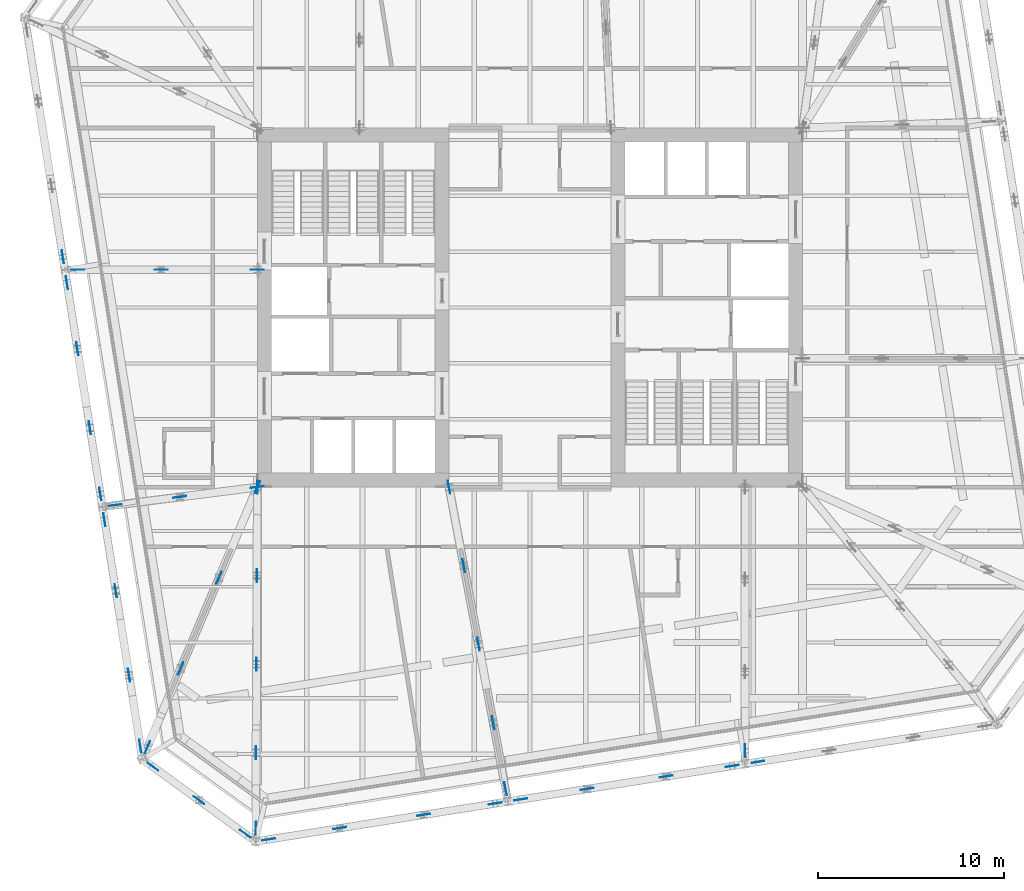
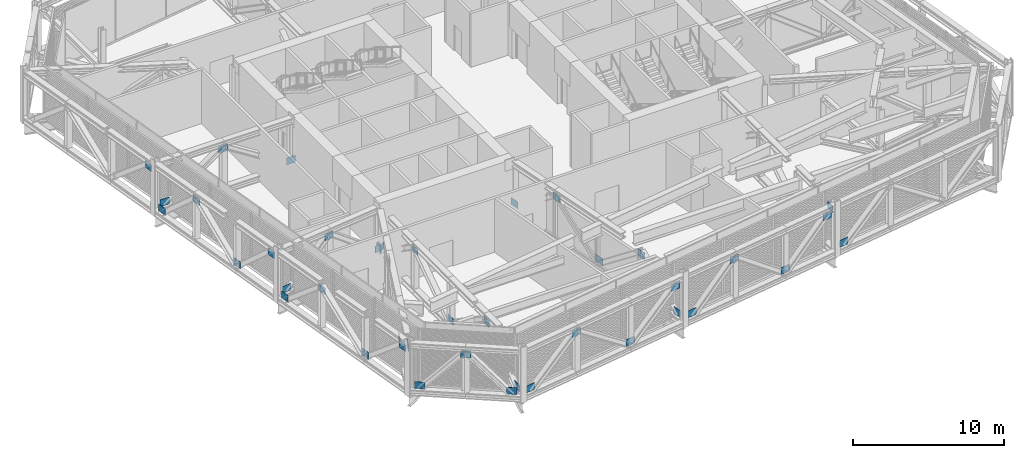
# One storey, part 27 of 31: 42 discrete accessories.
"""IFC4 building model written with IfcOpenShell, lengths in metres."""

from ifc_helpers import new_model, si_unit, direction, frame, origin, origin_2d, place, context, subcontext, project, spatial, rectangle, extrude, material, layer, layer_set, type_object, element, save


model = new_model("IFC4")

# Units and contexts
model_context = context("Model", 3, precision=1e-05, world=origin(), true_north=direction((0.0, 1.0)))
body_context = subcontext(model_context, "Body", "Model", "MODEL_VIEW")
ifc_project = project(units=[si_unit("LENGTHUNIT", "METRE"), si_unit("AREAUNIT", "SQUARE_METRE"), si_unit("VOLUMEUNIT", "CUBIC_METRE"), si_unit("PLANEANGLEUNIT", "RADIAN"), si_unit("MASSUNIT", "GRAM", prefix="KILO")], contexts=[model_context])

# Site, building, storey
site_placement = place(None, origin())
site = spatial("IfcSite", under=ifc_project, at=site_placement, CompositionType="ELEMENT")
building_placement = place(site_placement, origin())
building = spatial("IfcBuilding", under=site, at=building_placement, Name="Millrace Tower", CompositionType="ELEMENT")
storey_placement = place(building_placement, frame((0.0, 0.0, 195.60009765625)))
storey = spatial("IfcBuildingStorey", under=building, at=storey_placement, Name="L44", CompositionType="ELEMENT", Elevation=195.60009765625)

# Discrete accessories
ifc_material = material(Name="Steel ASTM A572 Grade 50", Category="steel")
ifc_layer = layer(ifc_material, 0.02490234375)
ifc_layer_set = layer_set([ifc_layer], Name="Steel ASTM A572 Grade 50")
discrete_accessory_type = type_object("IfcDiscreteAccessoryType", Name="Truss gusset plate 700x550x25", PredefinedType="BRACKET", material=ifc_layer_set)
for number, where, z_axis, x_axis, name in (
    (1, (-20.54638671875, -24.474853515625, 0.757568359375), (0.809112951205, -0.587653156371, 0.0), (0.587653156371, 0.809112951205, 0.0), "Truss gusset plate BLT-L44-R01-D01 foot"),
    (2, (-18.068359375, -26.275146484375, 3.482421875), (0.809112951205, -0.587653156371, 0.0), (0.587653156371, 0.809112951205, 0.0), "Truss gusset plate BLT-L44-R01-D01 head"),
    (3, (-15.59033203125, -28.075439453125, 0.757568359375), (0.808992462271, -0.587819016355, 0.0), (0.587819016355, 0.808992462271, 0.0), "Truss gusset plate BLT-L44-R01-D02 foot"),
    (4, (-14.395263671875, -28.637939453125, 0.757568359375), (0.987663796475, 0.156589351913, 0.0), (-0.156589351913, 0.987663796475, 0.0), "Truss gusset plate BLT-L44-R02-D01 foot"),
    (5, (-10.56689453125, -28.031494140625, 3.482421875), (0.987717677878, 0.156249124184, 0.0), (-0.156249124184, 0.987717677878, 0.0), "Truss gusset plate BLT-L44-R02-D01 head"),
    (6, (-6.047119140625, -27.315673828125, 0.757568359375), (0.987717677878, 0.156249124184, 0.0), (-0.156249124184, 0.987717677878, 0.0), "Truss gusset plate BLT-L44-R02-D02 foot"),
    (7, (-2.218505859375, -26.709228515625, 3.482421875), (0.987717677878, 0.156249124184, 0.0), (-0.156249124184, 0.987717677878, 0.0), "Truss gusset plate BLT-L44-R02-D03 head"),
    (8, (-0.835693359375, -26.490234375, 0.757568359375), (0.987717677878, 0.156249124184, 0.0), (-0.156249124184, 0.987717677878, 0.0), "Truss gusset plate BLT-L44-R03-D01 foot"),
):
    element("IfcDiscreteAccessory", number, at=place(storey_placement, frame(where, z_axis=z_axis, x_axis=x_axis)), inside=storey, type_object=discrete_accessory_type, Name=name, PredefinedType="BRACKET", context=body_context, shape_type="SweptSolid", body=[
        extrude(rectangle(XDim=0.02490234375, YDim=0.550048828125, at=origin_2d()), origin(), (0.0, 0.0, 1.0), 0.699951171875),
    ])
discrete_accessory_1_placement = place(storey_placement, frame((2.719970703125, -25.927001953125, 3.482421875), z_axis=(0.98770915867, 0.156302968239, 0.0), x_axis=(-0.156302968239, 0.98770915867, 0.0)))
element("IfcDiscreteAccessory", 9, at=discrete_accessory_1_placement, inside=storey, type_object=discrete_accessory_type, Name="Truss gusset plate BLT-L44-R03-D01 head", PredefinedType="BRACKET", context=body_context, shape_type="SweptSolid", body=[
    extrude(rectangle(XDim=0.02490234375, YDim=0.550048828125, at=origin_2d()), origin(), (0.0, 0.0, 1.0), 0.69970703125),
])
for number, where, z_axis, x_axis, name in (
    (10, (6.966796875, -25.25439453125, 0.757568359375), (0.987717677878, 0.156249124184, 0.0), (-0.156249124184, 0.987717677878, 0.0), "Truss gusset plate BLT-L44-R03-D02 foot"),
    (11, (10.522705078125, -24.69140625, 3.482421875), (0.987663796475, 0.156589351913, 0.0), (-0.156589351913, 0.987663796475, 0.0), "Truss gusset plate BLT-L44-R03-D03 head"),
):
    element("IfcDiscreteAccessory", number, at=place(storey_placement, frame(where, z_axis=z_axis, x_axis=x_axis)), inside=storey, type_object=discrete_accessory_type, Name=name, PredefinedType="BRACKET", context=body_context, shape_type="SweptSolid", body=[
        extrude(rectangle(XDim=0.02490234375, YDim=0.550048828125, at=origin_2d()), origin(), (0.0, 0.0, 1.0), 0.699951171875),
    ])
discrete_accessory_2_placement = place(storey_placement, frame((11.905517578125, -24.472412109375, 0.757568359375), z_axis=(0.987655240593, 0.156643307321, 0.0), x_axis=(-0.156643307321, 0.987655240593, 0.0)))
element("IfcDiscreteAccessory", 12, at=discrete_accessory_2_placement, inside=storey, type_object=discrete_accessory_type, Name="Truss gusset plate BLT-L44-R04-D01 foot", PredefinedType="BRACKET", context=body_context, shape_type="SweptSolid", body=[
    extrude(rectangle(XDim=0.02490234375, YDim=0.550048828125, at=origin_2d()), origin(), (0.0, 0.0, 1.0), 0.69970703125),
])
for number, where, z_axis, x_axis, name in (
    (13, (-25.1591796875, 3.068603515625, 3.482421875), (0.156249124184, -0.987717677878, 0.0), (0.987717677878, 0.156249124184, 0.0), "Truss gusset plate BLT-L44-R14-D03 head"),
    (14, (-24.940185546875, 1.685791015625, 0.757568359375), (0.156249124184, -0.987717677878, 0.0), (0.987717677878, 0.156249124184, 0.0), "Truss gusset plate BLT-L44-R15-D01 foot"),
    (15, (-24.377197265625, -1.869873046875, 3.482421875), (0.156589351913, -0.987663796475, 0.0), (0.987663796475, 0.156589351913, 0.0), "Truss gusset plate BLT-L44-R15-D01 head"),
    (16, (-23.70458984375, -6.116943359375, 0.757568359375), (0.156589351913, -0.987663796475, 0.0), (0.987663796475, 0.156589351913, 0.0), "Truss gusset plate BLT-L44-R15-D02 foot"),
    (17, (-23.141357421875, -9.672607421875, 3.482421875), (0.156589351913, -0.987663796475, 0.0), (0.987663796475, 0.156589351913, 0.0), "Truss gusset plate BLT-L44-R15-D03 head"),
):
    element("IfcDiscreteAccessory", number, at=place(storey_placement, frame(where, z_axis=z_axis, x_axis=x_axis)), inside=storey, type_object=discrete_accessory_type, Name=name, PredefinedType="BRACKET", context=body_context, shape_type="SweptSolid", body=[
        extrude(rectangle(XDim=0.02490234375, YDim=0.550048828125, at=origin_2d()), origin(), (0.0, 0.0, 1.0), 0.699951171875),
    ])
discrete_accessory_3_placement = place(storey_placement, frame((-22.92236328125, -11.055419921875, 0.757568359375), z_axis=(0.156643307321, -0.987655240593, 0.0), x_axis=(0.987655240593, 0.156643307321, 0.0)))
element("IfcDiscreteAccessory", 18, at=discrete_accessory_3_placement, inside=storey, type_object=discrete_accessory_type, Name="Truss gusset plate BLT-L44-R16-D01 foot", PredefinedType="BRACKET", context=body_context, shape_type="SweptSolid", body=[
    extrude(rectangle(XDim=0.02490234375, YDim=0.550048828125, at=origin_2d()), origin(), (0.0, 0.0, 1.0), 0.69970703125),
])
for number, where, z_axis, x_axis, name in (
    (19, (-22.31591796875, -14.8837890625, 3.482421875), (0.156589351913, -0.987663796475, 0.0), (0.987663796475, 0.156589351913, 0.0), "Truss gusset plate BLT-L44-R16-D01 head"),
    (20, (-21.60009765625, -19.403564453125, 0.757568359375), (0.156589351913, -0.987663796475, 0.0), (0.987663796475, 0.156589351913, 0.0), "Truss gusset plate BLT-L44-R16-D02 foot"),
    (21, (-20.99365234375, -23.23193359375, 3.482421875), (0.156249124184, -0.987717677878, 0.0), (0.987717677878, 0.156249124184, 0.0), "Truss gusset plate BLT-L44-R16-D03 head"),
):
    element("IfcDiscreteAccessory", number, at=place(storey_placement, frame(where, z_axis=z_axis, x_axis=x_axis)), inside=storey, type_object=discrete_accessory_type, Name=name, PredefinedType="BRACKET", context=body_context, shape_type="SweptSolid", body=[
        extrude(rectangle(XDim=0.02490234375, YDim=0.550048828125, at=origin_2d()), origin(), (0.0, 0.0, 1.0), 0.699951171875),
    ])
for number, where, z_axis, x_axis, name in (
    (22, (-14.786376953125, -9.972412109375, 0.757568359375), (0.389537599324, 0.921010563844, 0.0), (-0.921010563844, 0.389537599324, 0.0), "Truss gusset plate BLT-L44-O01-D01 foot"),
    (23, (-16.84619140625, -14.845458984375, 3.482421875), (0.389537599324, 0.921010563844, 0.0), (-0.921010563844, 0.389537599324, 0.0), "Truss gusset plate BLT-L44-O01-D01 head"),
    (24, (-18.906005859375, -19.718505859375, 0.757568359375), (0.389537599324, 0.921010563844, 0.0), (-0.921010563844, 0.389537599324, 0.0), "Truss gusset plate BLT-L44-O01-D02 foot"),
):
    element("IfcDiscreteAccessory", number, at=place(storey_placement, frame(where, z_axis=z_axis, x_axis=x_axis)), inside=storey, type_object=discrete_accessory_type, Name=name, PredefinedType="BRACKET", context=body_context, shape_type="SweptSolid", body=[
        extrude(rectangle(XDim=0.02490234375, YDim=0.550048828125, at=origin_2d()), origin(), (0.0, 0.0, 1.0), 0.7001953125),
    ])
for number, where, z_axis, x_axis, name in (
    (25, (-20.693115234375, -23.94677734375, 3.482421875), (0.38924172048, 0.921135648555, 0.0), (-0.921135648555, 0.38924172048, 0.0), "Truss gusset plate BLT-L44-O01-D03 head"),
    (26, (-14.651611328125, -10.0, 0.757568359375), (0.004883094903, 0.999988077621, 0.0), (-0.999988077621, 0.004883094903, 0.0), "Truss gusset plate BLT-L44-O02-D01 foot"),
    (27, (-14.67431640625, -14.7607421875, 3.482421875), (0.004534309857, 0.999989719964, 0.0), (-0.999989719964, 0.004534309857, 0.0), "Truss gusset plate BLT-L44-O02-D01 head"),
    (28, (-14.697021484375, -19.521240234375, 0.757568359375), (0.004534309857, 0.999989719964, 0.0), (-0.999989719964, 0.004534309857, 0.0), "Truss gusset plate BLT-L44-O02-D02 foot"),
    (29, (-14.719970703125, -24.281982421875, 3.482421875), (0.004883094903, 0.999988077621, 0.0), (-0.999988077621, 0.004883094903, 0.0), "Truss gusset plate BLT-L44-O02-D03 head"),
):
    element("IfcDiscreteAccessory", number, at=place(storey_placement, frame(where, z_axis=z_axis, x_axis=x_axis)), inside=storey, type_object=discrete_accessory_type, Name=name, PredefinedType="BRACKET", context=body_context, shape_type="SweptSolid", body=[
        extrude(rectangle(XDim=0.02490234375, YDim=0.550048828125, at=origin_2d()), origin(), (0.0, 0.0, 1.0), 0.699951171875),
    ])
discrete_accessory_4_placement = place(storey_placement, frame((-14.7392578125, -28.3427734375, 0.757568359375), z_axis=(0.00488139233, 0.999988085933, 0.0), x_axis=(-0.999988085933, 0.00488139233, 0.0)))
element("IfcDiscreteAccessory", 30, at=discrete_accessory_4_placement, inside=storey, type_object=discrete_accessory_type, Name="Truss gusset plate BLT-L44-O02-D04 foot", PredefinedType="BRACKET", context=body_context, shape_type="SweptSolid", body=[
    extrude(rectangle(XDim=0.02490234375, YDim=0.550048828125, at=origin_2d()), origin(), (0.0, 0.0, 1.0), 0.7001953125),
])
for number, where, z_axis, x_axis, name in (
    (31, (-4.41455078125, -9.305908203125, 0.757568359375), (0.184499108681, -0.982832681028, 0.0), (0.982832681028, 0.184499108681, 0.0), "Truss gusset plate BLT-L44-O03-D01 foot"),
    (32, (-3.622314453125, -13.52978515625, 3.482421875), (0.184162178688, -0.982895870345, 0.0), (0.982895870345, 0.184162178688, 0.0), "Truss gusset plate BLT-L44-O03-D01 head"),
    (33, (-2.830322265625, -17.75341796875, 0.757568359375), (0.184499108681, -0.982832681028, 0.0), (0.982832681028, 0.184499108681, 0.0), "Truss gusset plate BLT-L44-O03-D02 foot"),
    (34, (-2.0380859375, -21.977294921875, 3.482421875), (0.184162178688, -0.982895870345, 0.0), (0.982895870345, 0.184162178688, 0.0), "Truss gusset plate BLT-L44-O03-D03 head"),
):
    element("IfcDiscreteAccessory", number, at=place(storey_placement, frame(where, z_axis=z_axis, x_axis=x_axis)), inside=storey, type_object=discrete_accessory_type, Name=name, PredefinedType="BRACKET", context=body_context, shape_type="SweptSolid", body=[
        extrude(rectangle(XDim=0.02490234375, YDim=0.550048828125, at=origin_2d()), origin(), (0.0, 0.0, 1.0), 0.699951171875),
    ])
discrete_accessory_5_placement = place(storey_placement, frame((-1.375, -25.512939453125, 0.757568359375), z_axis=(0.184099064321, -0.982907693792, 0.0), x_axis=(0.982907693792, 0.184099064321, 0.0)))
element("IfcDiscreteAccessory", 35, at=discrete_accessory_5_placement, inside=storey, type_object=discrete_accessory_type, Name="Truss gusset plate BLT-L44-O03-D04 foot", PredefinedType="BRACKET", context=body_context, shape_type="SweptSolid", body=[
    extrude(rectangle(XDim=0.02490234375, YDim=0.550048828125, at=origin_2d()), origin(), (0.0, 0.0, 1.0), 0.7001953125),
])
for number, where, z_axis, x_axis, name in (
    (36, (11.559814453125, -24.177001953125, 3.482421875), (0.0, 1.0, 0.0), (-1.0, 0.0, 0.0), "Truss gusset plate BLT-L44-O04-D03 head"),
    (37, (-15.0, 2.031494140625, 0.757568359375), (1.0, 0.0, 0.0), (0.0, 1.0, 0.0), "Truss gusset plate BLT-L44-O15-D01 foot"),
):
    element("IfcDiscreteAccessory", number, at=place(storey_placement, frame(where, z_axis=z_axis, x_axis=x_axis)), inside=storey, type_object=discrete_accessory_type, Name=name, PredefinedType="BRACKET", context=body_context, shape_type="SweptSolid", body=[
        extrude(rectangle(XDim=0.02490234375, YDim=0.550048828125, at=origin_2d()), origin(), (0.0, 0.0, 1.0), 0.699951171875),
    ])
discrete_accessory_6_placement = place(storey_placement, frame((-20.172607421875, 2.031494140625, 3.482421875), z_axis=(1.0, 0.0, 0.0), x_axis=(0.0, 1.0, 0.0)))
element("IfcDiscreteAccessory", 38, at=discrete_accessory_6_placement, inside=storey, type_object=discrete_accessory_type, Name="Truss gusset plate BLT-L44-O15-D01 head", PredefinedType="BRACKET", context=body_context, shape_type="SweptSolid", body=[
    extrude(rectangle(XDim=0.02490234375, YDim=0.550048828125, at=origin_2d()), origin(), (0.0, 0.0, 1.0), 0.7001953125),
])
discrete_accessory_7_placement = place(storey_placement, frame((-24.64501953125, 2.031494140625, 0.757568359375), z_axis=(1.0, 0.0, 0.0), x_axis=(0.0, 1.0, 0.0)))
element("IfcDiscreteAccessory", 39, at=discrete_accessory_7_placement, inside=storey, type_object=discrete_accessory_type, Name="Truss gusset plate BLT-L44-O15-D02 foot", PredefinedType="BRACKET", context=body_context, shape_type="SweptSolid", body=[
    extrude(rectangle(XDim=0.02490234375, YDim=0.550048828125, at=origin_2d()), origin(), (0.0, 0.0, 1.0), 0.699951171875),
])
discrete_accessory_8_placement = place(storey_placement, frame((-14.997314453125, -9.694091796875, 0.757568359375), z_axis=(0.992001881269, 0.126223086474, 0.0), x_axis=(-0.126223086474, 0.992001881269, 0.0)))
element("IfcDiscreteAccessory", 40, at=discrete_accessory_8_placement, inside=storey, type_object=discrete_accessory_type, Name="Truss gusset plate BLT-L44-O16-D01 foot", PredefinedType="BRACKET", context=body_context, shape_type="SweptSolid", body=[
    extrude(rectangle(XDim=0.02490234375, YDim=0.550048828125, at=origin_2d()), origin(), (0.0, 0.0, 1.0), 0.7001953125),
])
for number, where, z_axis, x_axis, name in (
    (41, (-19.16064453125, -10.22412109375, 3.482421875), (0.991996323081, 0.126266761236, 0.0), (-0.126266761236, 0.991996323081, 0.0), "Truss gusset plate BLT-L44-O16-D01 head"),
    (42, (-22.6298828125, -10.66552734375, 0.757568359375), (0.991996323081, 0.126266761236, 0.0), (-0.126266761236, 0.991996323081, 0.0), "Truss gusset plate BLT-L44-O16-D02 foot"),
):
    element("IfcDiscreteAccessory", number, at=place(storey_placement, frame(where, z_axis=z_axis, x_axis=x_axis)), inside=storey, type_object=discrete_accessory_type, Name=name, PredefinedType="BRACKET", context=body_context, shape_type="SweptSolid", body=[
        extrude(rectangle(XDim=0.02490234375, YDim=0.550048828125, at=origin_2d()), origin(), (0.0, 0.0, 1.0), 0.699951171875),
    ])

save(model, "model.ifc")
